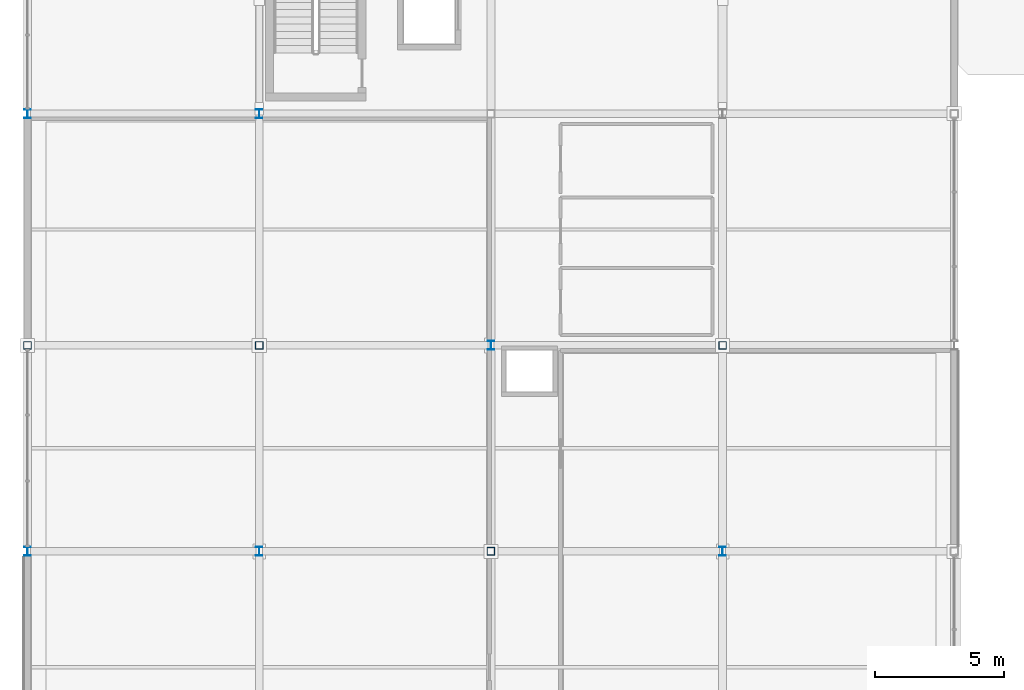
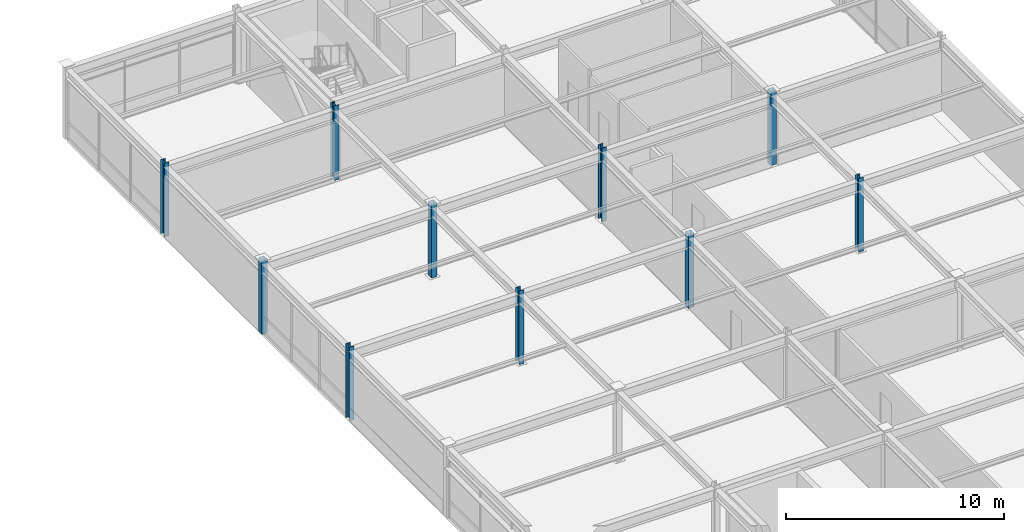
# One storey, part 3 of 108: 10 columns.
"""IFC4 building model written with IfcOpenShell, lengths in metres."""

from ifc_helpers import new_model, si_unit, direction, frame, origin, origin_2d, place, context, subcontext, project, spatial, hollow_rectangle, i_section, extrude, material, material_profile, profile_set, type_object, element, save


model = new_model("IFC4")

# Units and contexts
model_context = context("Model", 3, precision=1e-05, world=origin(), true_north=direction((0.0, 1.0)))
body_context = subcontext(model_context, "Body", "Model", "MODEL_VIEW")
ifc_project = project(units=[si_unit("LENGTHUNIT", "METRE"), si_unit("AREAUNIT", "SQUARE_METRE"), si_unit("VOLUMEUNIT", "CUBIC_METRE"), si_unit("PLANEANGLEUNIT", "RADIAN"), si_unit("MASSUNIT", "GRAM", prefix="KILO")], contexts=[model_context])

# Site, building, storey
site_placement = place(None, origin())
site = spatial("IfcSite", under=ifc_project, at=site_placement, CompositionType="ELEMENT")
building_placement = place(site_placement, origin())
building = spatial("IfcBuilding", under=site, at=building_placement, Name="Suzunagisa Mobility Hub", CompositionType="ELEMENT")
storey_placement = place(building_placement, frame((0.0, 0.0, 9.300048828125)))
storey = spatial("IfcBuildingStorey", under=building, at=storey_placement, Name="L02", CompositionType="ELEMENT", Elevation=9.300048828125)

# Columns
ifc_material = material(Name="Steel SN490B", Category="steel")
ifc_material_profile_1 = material_profile(ifc_material, i_section(OverallWidth=0.25, OverallDepth=0.340087890625, WebThickness=0.009033203125, FlangeThickness=0.013916015625, FilletRadius=0.010009765625, at=origin_2d()), Name="H-340x250x9x14")
ifc_profile_set_1 = profile_set([ifc_material_profile_1], Name="Steel SN490B")
column_type_1 = type_object("IfcColumnType", Name="Steel Column CL-02 H-340x250x9x14", PredefinedType="COLUMN", material=ifc_profile_set_1)
for number, where, z_axis, x_axis, name in (
    (1, (0.0, 36.0, 0.0), (0.0, 0.0, 1.0), (1.0, 0.0, 0.0), "L02 Column 4"),
    (2, (0.0, 53.0, 0.0), (0.0, 0.0, 1.0), (1.0, 0.0, 0.0), "L02 Column 6"),
    (3, (9.0, 36.0, 0.0), (0.0, 0.0, 1.0), (1.0, 0.0, 0.0), "L02 Column 24"),
):
    element("IfcColumn", number, at=place(storey_placement, frame(where, z_axis=z_axis, x_axis=x_axis)), inside=storey, type_object=column_type_1, Name=name, PredefinedType="COLUMN", context=body_context, shape_type="SweptSolid", body=[
        extrude(i_section(OverallWidth=0.25, OverallDepth=0.340087890625, WebThickness=0.009033203125, FlangeThickness=0.013916015625, FilletRadius=0.010009765625, at=origin_2d()), origin(), (0.0, 0.0, 1.0), 4.139892578125),
    ])
column_placement = place(storey_placement, frame((9.0, 53.0, 0.0), z_axis=(0.0, 0.0, 1.0), x_axis=(1.0, 0.0, 0.0)))
element("IfcColumn", 4, at=column_placement, inside=storey, type_object=column_type_1, Name="L02 Column 26", PredefinedType="COLUMN", context=body_context, shape_type="SweptSolid", body=[
    extrude(i_section(OverallWidth=0.25, OverallDepth=0.340087890625, WebThickness=0.009033203125, FlangeThickness=0.013916015625, FilletRadius=0.010009765625, at=origin_2d()), origin(), (0.0, 0.0, 1.0), 4.199951171875),
])
for number, where, z_axis, x_axis, name in (
    (5, (18.0, 44.0, 0.0), (0.0, 0.0, 1.0), (1.0, 0.0, 0.0), "L02 Column 46"),
    (6, (27.0, 36.0, 0.0), (0.0, 0.0, 1.0), (1.0, 0.0, 0.0), "L02 Column 66"),
):
    element("IfcColumn", number, at=place(storey_placement, frame(where, z_axis=z_axis, x_axis=x_axis)), inside=storey, type_object=column_type_1, Name=name, PredefinedType="COLUMN", context=body_context, shape_type="SweptSolid", body=[
        extrude(i_section(OverallWidth=0.25, OverallDepth=0.340087890625, WebThickness=0.009033203125, FlangeThickness=0.013916015625, FilletRadius=0.010009765625, at=origin_2d()), origin(), (0.0, 0.0, 1.0), 4.139892578125),
    ])
ifc_material_profile_2 = material_profile(ifc_material, hollow_rectangle(XDim=0.300048828125, YDim=0.300048828125, WallThickness=0.011962890625, at=origin_2d()), Name="BCR-300x300x12")
ifc_profile_set_2 = profile_set([ifc_material_profile_2], Name="Steel SN490B")
column_type_2 = type_object("IfcColumnType", Name="Steel Column CL-12 BCR-300x300x12", PredefinedType="COLUMN", material=ifc_profile_set_2)
for number, where, z_axis, x_axis, name in (
    (7, (0.0, 44.0, 0.0), (0.0, 0.0, 1.0), (1.0, 0.0, 0.0), "L02 Column 5"),
    (8, (9.0, 44.0, 0.0), (0.0, 0.0, 1.0), (1.0, 0.0, 0.0), "L02 Column 25"),
    (9, (18.0, 36.0, 0.0), (0.0, 0.0, 1.0), (1.0, 0.0, 0.0), "L02 Column 45"),
    (10, (27.0, 44.0, 0.0), (0.0, 0.0, 1.0), (1.0, 0.0, 0.0), "L02 Column 67"),
):
    element("IfcColumn", number, at=place(storey_placement, frame(where, z_axis=z_axis, x_axis=x_axis)), inside=storey, type_object=column_type_2, Name=name, PredefinedType="COLUMN", context=body_context, shape_type="SweptSolid", body=[
        extrude(hollow_rectangle(XDim=0.300048828125, YDim=0.300048828125, WallThickness=0.011962890625, at=origin_2d()), origin(), (0.0, 0.0, 1.0), 4.139892578125),
    ])

save(model, "model.ifc")
